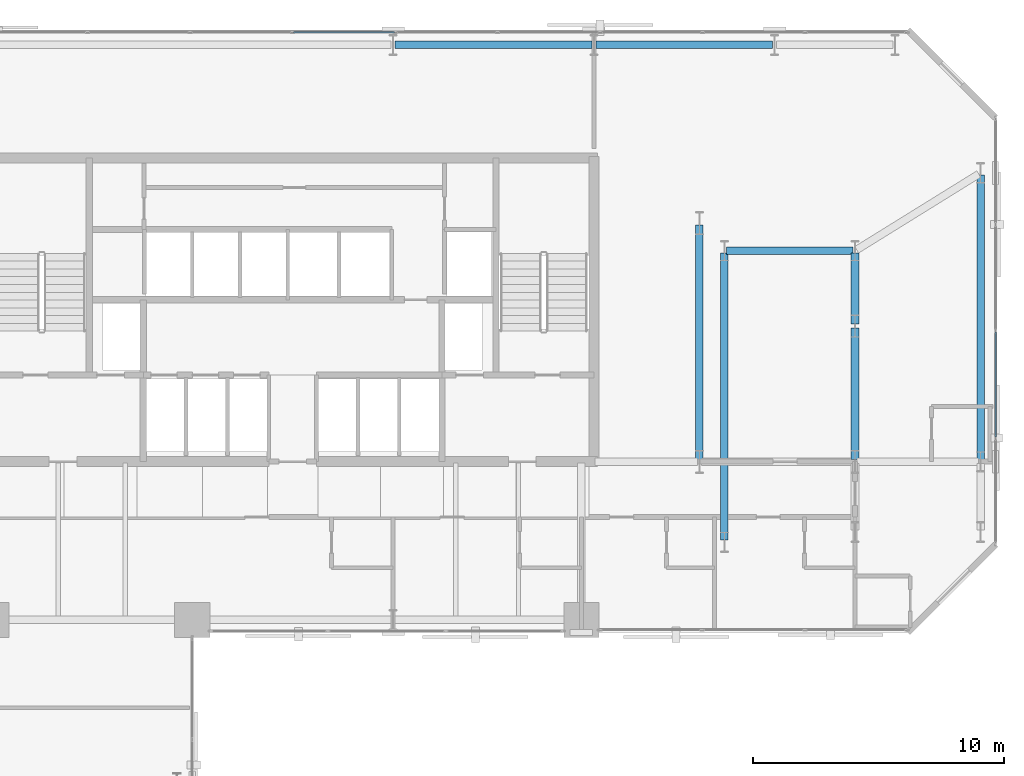
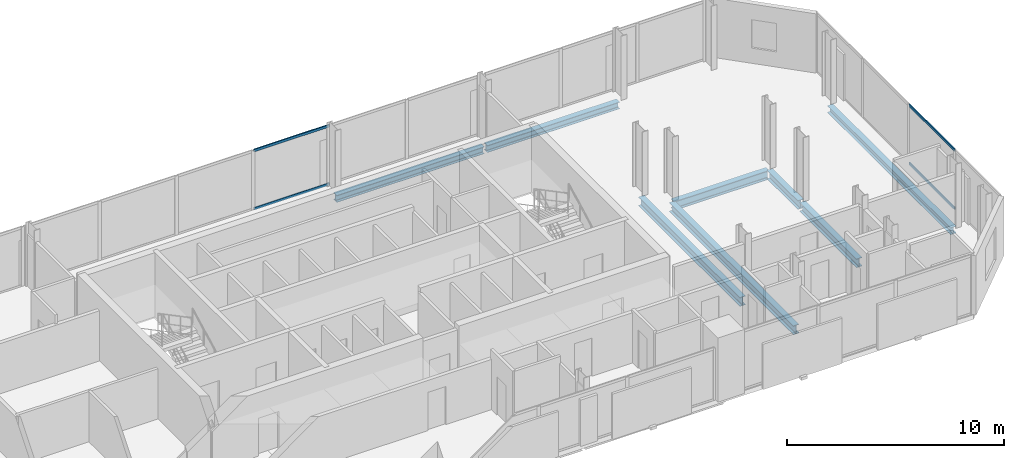
# One storey, part 23 of 32: 8 beams, 4 members, 2 elements without a shape of their own.
"""IFC4 building model written with IfcOpenShell, lengths in metres."""

from ifc_helpers import new_model, si_unit, direction, frame, origin, origin_2d, place, context, subcontext, project, spatial, hollow_rectangle, i_section, extrude, material, layer, layer_set, material_profile, profile_set, type_object, element, aggregate, save


model = new_model("IFC4")

# Units and contexts
model_context = context("Model", 3, precision=1e-05, world=origin(), true_north=direction((0.0, 1.0)))
body_context = subcontext(model_context, "Body", "Model", "MODEL_VIEW")
ifc_project = project(units=[si_unit("LENGTHUNIT", "METRE"), si_unit("AREAUNIT", "SQUARE_METRE"), si_unit("VOLUMEUNIT", "CUBIC_METRE"), si_unit("PLANEANGLEUNIT", "RADIAN"), si_unit("MASSUNIT", "GRAM", prefix="KILO")], contexts=[model_context])

# Site, building, storey
site_placement = place(None, origin())
site = spatial("IfcSite", under=ifc_project, at=site_placement, CompositionType="ELEMENT")
building_placement = place(site_placement, origin())
building = spatial("IfcBuilding", under=site, at=building_placement, Name="Catumbela Crestline Tower", CompositionType="ELEMENT")
storey_placement = place(building_placement, frame((0.0, 0.0, 61.8)))
storey = spatial("IfcBuildingStorey", under=building, at=storey_placement, Name="L15", CompositionType="ELEMENT", Elevation=61.8)

# Beams
ifc_material_1 = material(Name="Structural steel S355J2", Category="steel")
ifc_material_profile_1 = material_profile(ifc_material_1, i_section(OverallWidth=0.3, OverallDepth=0.5, WebThickness=0.0145, FlangeThickness=0.028, FilletRadius=0.027, at=origin_2d()), Name="HEB 500")
ifc_profile_set_1 = profile_set([ifc_material_profile_1], Name="Structural steel S355J2")
beam_type_1 = type_object("IfcBeamType", Name="BG-HEB500", PredefinedType="BEAM", material=ifc_profile_set_1)
beam_1_placement = place(storey_placement, frame((45.28, 39.2, -0.51), z_axis=(1.0, 0.0, 0.0), x_axis=(0.0, 1.0, 0.0)))
element("IfcBeam", 1, at=beam_1_placement, inside=storey, type_object=beam_type_1, Name="L15 Beam BM-L15-N17", PredefinedType="BEAM", context=body_context, shape_type="SweptSolid", body=[
    extrude(i_section(OverallWidth=0.3, OverallDepth=0.5, WebThickness=0.0145, FlangeThickness=0.028, FilletRadius=0.027, at=origin_2d()), origin(), (0.0, 0.0, 1.0), 5.04),
])
beam_2_placement = place(storey_placement, frame((44.2, 30.88, -0.51), z_axis=(0.0, 1.0, 0.0), x_axis=(-1.0, 0.0, 0.0)))
element("IfcBeam", 2, at=beam_2_placement, inside=storey, type_object=beam_type_1, Name="L15 Beam BM-L15-SN35", PredefinedType="BEAM", context=body_context, shape_type="SweptSolid", body=[
    extrude(i_section(OverallWidth=0.3, OverallDepth=0.5, WebThickness=0.0145, FlangeThickness=0.028, FilletRadius=0.027, at=origin_2d()), origin(), (0.0, 0.0, 1.0), 9.34),
])
beam_3_placement = place(storey_placement, frame((45.2, 27.68, -0.51), z_axis=(0.0, 1.0, 0.0), x_axis=(-1.0, 0.0, 0.0)))
element("IfcBeam", 3, at=beam_3_placement, inside=storey, type_object=beam_type_1, Name="L15 Beam BM-L15-SN36", PredefinedType="BEAM", context=body_context, shape_type="SweptSolid", body=[
    extrude(i_section(OverallWidth=0.3, OverallDepth=0.5, WebThickness=0.0145, FlangeThickness=0.028, FilletRadius=0.027, at=origin_2d()), origin(), (0.0, 0.0, 1.0), 11.44),
])
beam_4_placement = place(storey_placement, frame((50.4, 30.88, -0.51), z_axis=(0.0, 1.0, 0.0), x_axis=(-1.0, 0.0, 0.0)))
element("IfcBeam", 4, at=beam_4_placement, inside=storey, type_object=beam_type_1, Name="L15 Beam BM-L15-SN38", PredefinedType="BEAM", context=body_context, shape_type="SweptSolid", body=[
    extrude(i_section(OverallWidth=0.3, OverallDepth=0.5, WebThickness=0.0145, FlangeThickness=0.028, FilletRadius=0.027, at=origin_2d()), origin(), (0.0, 0.0, 1.0), 5.24),
])
beam_5_placement = place(storey_placement, frame((50.4, 36.28, -0.51), z_axis=(0.0, 1.0, 0.0), x_axis=(-1.0, 0.0, 0.0)))
element("IfcBeam", 5, at=beam_5_placement, inside=storey, type_object=beam_type_1, Name="L15 Beam BM-L15-SN39", PredefinedType="BEAM", context=body_context, shape_type="SweptSolid", body=[
    extrude(i_section(OverallWidth=0.3, OverallDepth=0.5, WebThickness=0.0145, FlangeThickness=0.028, FilletRadius=0.027, at=origin_2d()), origin(), (0.0, 0.0, 1.0), 2.84),
])
ifc_material_profile_2 = material_profile(ifc_material_1, i_section(OverallWidth=0.3, OverallDepth=0.39, WebThickness=0.011, FlangeThickness=0.019, FilletRadius=0.027, at=origin_2d()), Name="HEA 400")
ifc_profile_set_2 = profile_set([ifc_material_profile_2], Name="Structural steel S355J2")
beam_type_2 = type_object("IfcBeamType", Name="BS-HEA400", PredefinedType="SPANDREL", material=ifc_profile_set_2)
beam_6_placement = place(storey_placement, frame((32.08, 47.4, -0.455), z_axis=(1.0, 0.0, 0.0), x_axis=(0.0, 1.0, 0.0)))
element("IfcBeam", 6, at=beam_6_placement, inside=storey, type_object=beam_type_2, Name="L15 Spandrel SP-L15-NF22", PredefinedType="SPANDREL", context=body_context, shape_type="SweptSolid", body=[
    extrude(i_section(OverallWidth=0.3, OverallDepth=0.39, WebThickness=0.011, FlangeThickness=0.019, FilletRadius=0.027, at=origin_2d()), origin(), (0.0, 0.0, 1.0), 7.84),
])
beam_7_placement = place(storey_placement, frame((40.08, 47.4, -0.455), z_axis=(1.0, 0.0, 0.0), x_axis=(0.0, 1.0, 0.0)))
element("IfcBeam", 7, at=beam_7_placement, inside=storey, type_object=beam_type_2, Name="L15 Spandrel SP-L15-NF23", PredefinedType="SPANDREL", context=body_context, shape_type="SweptSolid", body=[
    extrude(i_section(OverallWidth=0.3, OverallDepth=0.39, WebThickness=0.011, FlangeThickness=0.019, FilletRadius=0.027, at=origin_2d()), origin(), (0.0, 0.0, 1.0), 7.04),
])
beam_8_placement = place(storey_placement, frame((55.4, 30.88, -0.455), z_axis=(0.0, 1.0, 0.0), x_axis=(-1.0, 0.0, 0.0)))
element("IfcBeam", 8, at=beam_8_placement, inside=storey, type_object=beam_type_2, Name="L15 Spandrel SP-L15-SN41", PredefinedType="SPANDREL", context=body_context, shape_type="SweptSolid", body=[
    extrude(i_section(OverallWidth=0.3, OverallDepth=0.39, WebThickness=0.011, FlangeThickness=0.019, FilletRadius=0.027, at=origin_2d()), origin(), (0.0, 0.0, 1.0), 11.34),
])

# Curtain wall, members
ifc_material_2 = material(Name="Aluminium alloy AW-6060-T66", Category="aluminium")
ifc_layer = layer(ifc_material_2, 0.18, Name="Aluminium alloy AW-6060-T66")
ifc_layer_set = layer_set([ifc_layer], Name="Aluminium alloy AW-6060-T66")
curtain_wall_type = type_object("IfcCurtainWallType", Name="CWU-Z1", PredefinedType="USERDEFINED", material=ifc_layer_set)
curtain_wall_1_placement = place(storey_placement, origin())
curtain_wall_1 = element("IfcCurtainWall", 9, at=curtain_wall_1_placement, inside=storey, type_object=curtain_wall_type, Name="L15 Unitised Curtain Wall CW-L15-E5S1", ObjectType="UNITISED", PredefinedType="USERDEFINED")
ifc_material_profile_3 = material_profile(ifc_material_2, hollow_rectangle(XDim=0.06, YDim=0.14, WallThickness=0.004, at=origin_2d()), Name="ALU 140x60x4")
ifc_profile_set_3 = profile_set([ifc_material_profile_3], Name="Aluminium alloy AW-6060-T66")
member_type = type_object("IfcMemberType", Name="TRN-140X60", PredefinedType="USERDEFINED", material=ifc_profile_set_3)
member_1_placement = place(storey_placement, frame((56.0, 31.7825, 0.03), z_axis=(0.0, 1.0, 0.0), x_axis=(-1.0, 0.0, 0.0)))
member_1 = element("IfcMember", 10, at=member_1_placement, type_object=member_type, Name="CWU-Z1 transom 2.1", ObjectType="TRANSOM", PredefinedType="USERDEFINED", context=body_context, shape_type="SweptSolid", body=[
    extrude(hollow_rectangle(XDim=0.06, YDim=0.14, WallThickness=0.004, at=origin_2d()), origin(), (0.0, 0.0, 1.0), 4.185),
])
member_2_placement = place(storey_placement, frame((56.0, 31.7825, 3.3), z_axis=(0.0, 1.0, 0.0), x_axis=(-1.0, 0.0, 0.0)))
member_2 = element("IfcMember", 11, at=member_2_placement, type_object=member_type, Name="CWU-Z1 transom 2.2", ObjectType="TRANSOM", PredefinedType="USERDEFINED", context=body_context, shape_type="SweptSolid", body=[
    extrude(hollow_rectangle(XDim=0.06, YDim=0.14, WallThickness=0.004, at=origin_2d()), origin(), (0.0, 0.0, 1.0), 4.185),
])
aggregate(curtain_wall_1, [member_1, member_2])

curtain_wall_2_placement = place(storey_placement, origin())
curtain_wall_2 = element("IfcCurtainWall", 12, at=curtain_wall_2_placement, inside=storey, type_object=curtain_wall_type, Name="L15 Unitised Curtain Wall CW-L15-E7S1", ObjectType="UNITISED", PredefinedType="USERDEFINED")
member_3_placement = place(storey_placement, frame((32.0508, 47.9, 0.03), z_axis=(-1.0, 0.0, 0.0), x_axis=(0.0, -1.0, 0.0)))
member_3 = element("IfcMember", 13, at=member_3_placement, type_object=member_type, Name="CWU-Z1 transom 6.1", ObjectType="TRANSOM", PredefinedType="USERDEFINED", context=body_context, shape_type="SweptSolid", body=[
    extrude(hollow_rectangle(XDim=0.06, YDim=0.14, WallThickness=0.004, at=origin_2d()), origin(), (0.0, 0.0, 1.0), 4.0183),
])
member_4_placement = place(storey_placement, frame((32.0508, 47.9, 3.3), z_axis=(-1.0, 0.0, 0.0), x_axis=(0.0, -1.0, 0.0)))
member_4 = element("IfcMember", 14, at=member_4_placement, type_object=member_type, Name="CWU-Z1 transom 6.2", ObjectType="TRANSOM", PredefinedType="USERDEFINED", context=body_context, shape_type="SweptSolid", body=[
    extrude(hollow_rectangle(XDim=0.06, YDim=0.14, WallThickness=0.004, at=origin_2d()), origin(), (0.0, 0.0, 1.0), 4.0183),
])
aggregate(curtain_wall_2, [member_3, member_4])

save(model, "model.ifc")
